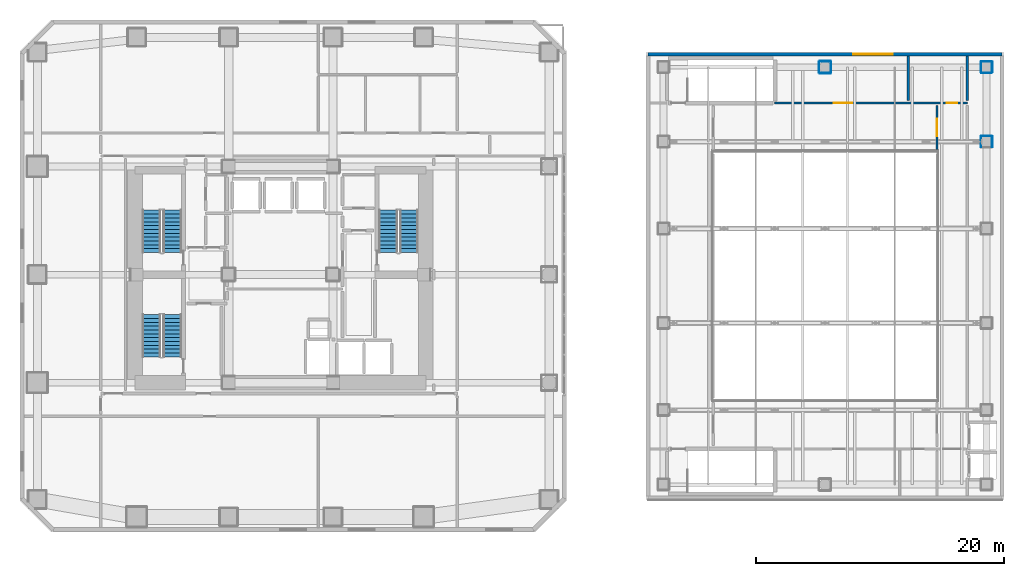
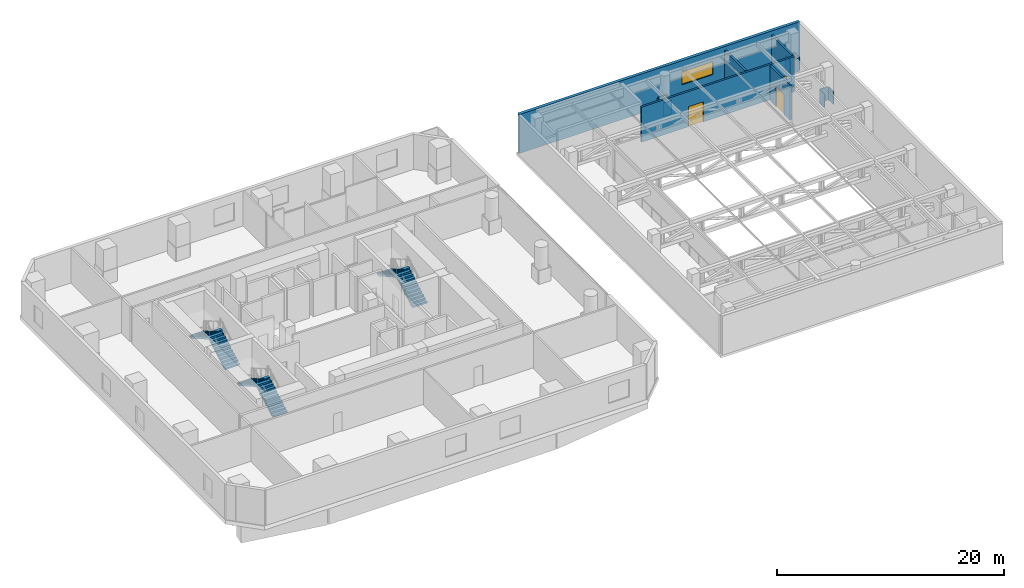
# One storey, part 23 of 25: 16 walls, 6 stair flights, 3 doors, 1 window, 4 openings, 3 elements without a shape of their own.
"""IFC4 building model written with IfcOpenShell, lengths in metres."""

import ifcopenshell
import ifcopenshell.guid

model = None  # the IFC model being written
_history = None  # IfcOwnerHistory: only IFC2X3 demands one
_inside = {}  # id of a spatial element -> (the spatial element, [elements in it])
_under = {}  # id of a project, library or spatial element -> (it, [spatial elements below it])
_declared = {}  # id of a project -> (the project, [libraries it declares])
_typed = {}  # id of a type object -> (the type object, [elements of that type])
_made_of = {}  # id of a material, layer set ... -> (it, [elements and type objects made of it])


def new_model(schema):
    """Start an empty IFC model of exactly this schema.

    Asked for "IFC4X3", IfcOpenShell would pick the latest addendum, in which some entities
    have other attributes; the version numbers below select the first issue.
    IFC2X3 requires an IfcOwnerHistory on every rooted entity: one is made here for all.
    """
    global model, _history
    if schema == "IFC4X3":
        model = ifcopenshell.file(schema_version=(4, 3, 0, 0))
    else:
        model = ifcopenshell.file(schema=schema)
    _inside.clear()
    _under.clear()
    _declared.clear()
    _typed.clear()
    _made_of.clear()
    _history = None
    if model.schema == "IFC2X3":
        org = make("IfcOrganization", Name="unknown")
        user = make(
            "IfcPersonAndOrganization",
            ThePerson=make("IfcPerson", FamilyName="unknown"),
            TheOrganization=org,
        )
        app = make(
            "IfcApplication",
            ApplicationDeveloper=org,
            Version="unknown",
            ApplicationFullName="unknown",
            ApplicationIdentifier="unknown",
        )
        _history = make(
            "IfcOwnerHistory",
            OwningUser=user,
            OwningApplication=app,
            ChangeAction="ADDED",
            CreationDate=0,
        )
    return model


def make(cls, **values):
    """One entity of the class cls with the attributes given. An attribute that is None is left unset."""
    return model.create_entity(
        cls, **{name: value for name, value in values.items() if value is not None}
    )


def rooted(cls, **values):
    """An entity with a GlobalId (a new one), such as an element, a storey or a relation."""
    return make(cls, GlobalId=ifcopenshell.guid.new(), OwnerHistory=_history, **values)


def si_unit(unit_type, name, prefix=None):
    """IfcSIUnit, for example si_unit("LENGTHUNIT", "METRE", prefix="MILLI")."""
    return make("IfcSIUnit", UnitType=unit_type, Prefix=prefix, Name=name)


def assignment(units):
    """IfcUnitAssignment: the units of a project."""
    return None if units is None else make("IfcUnitAssignment", Units=units)


def point(xyz):
    """IfcCartesianPoint."""
    return None if xyz is None else make("IfcCartesianPoint", Coordinates=xyz)


def direction(xyz):
    """IfcDirection."""
    return None if xyz is None else make("IfcDirection", DirectionRatios=xyz)


def frame(location, z_axis=None, x_axis=None):
    """IfcAxis2Placement3D, a coordinate frame: its origin and axes. An axis left out is left unset."""
    return make(
        "IfcAxis2Placement3D",
        Location=point(location),
        Axis=direction(z_axis),
        RefDirection=direction(x_axis),
    )


def frame_2d(location, x_axis=None):
    """IfcAxis2Placement2D, a coordinate frame in the plane: its origin and x axis."""
    return make(
        "IfcAxis2Placement2D", Location=point(location), RefDirection=direction(x_axis)
    )


def origin():
    """The frame at (0, 0, 0) with its axes left unset."""
    return frame((0.0, 0.0, 0.0))


def place(relative_to, where):
    """IfcLocalPlacement: puts the frame where relative to a parent placement (None: the world)."""
    return make(
        "IfcLocalPlacement", PlacementRelTo=relative_to, RelativePlacement=where
    )


def context(
    kind, dimensions, precision=None, world=None, true_north=None, identifier=None
):
    """IfcGeometricRepresentationContext, for example the 3D "Model" context."""
    return make(
        "IfcGeometricRepresentationContext",
        ContextIdentifier=identifier,
        ContextType=kind,
        CoordinateSpaceDimension=dimensions,
        Precision=precision,
        WorldCoordinateSystem=world,
        TrueNorth=true_north,
    )


def subcontext(parent, identifier, kind, view, scale=None):
    """IfcGeometricRepresentationSubContext, for example "Body" below "Model"."""
    return make(
        "IfcGeometricRepresentationSubContext",
        ContextIdentifier=identifier,
        ContextType=kind,
        ParentContext=parent,
        TargetScale=scale,
        TargetView=view,
    )


def project(units=None, contexts=None):
    """IfcProject with its units and contexts."""
    return rooted(
        "IfcProject",
        Name="project",
        RepresentationContexts=contexts,
        UnitsInContext=assignment(units),
    )


def spatial(cls, under=None, at=None, **own):
    """A site, building, storey or space (cls), placed at a placement, below another one or the project."""
    s = rooted(cls, ObjectPlacement=at, **own)
    if under is not None:
        _under.setdefault(under.id(), (under, []))[1].append(s)
    return s


def polyline(points):
    """IfcPolyline through the points."""
    return make("IfcPolyline", Points=[point(p) for p in points])


def profile(cls, at=None, kind="AREA", **sizes):
    """A parametric profile (cls). Its sizes go by their IFC names, for example OverallWidth=200.0."""
    return make(cls, ProfileType=kind, Position=at, **sizes)


def rectangle(**sizes):
    """IfcRectangleProfileDef."""
    return profile("IfcRectangleProfileDef", **sizes)


def outline(outer, holes=None, kind="AREA"):
    """IfcArbitraryClosedProfileDef: a profile drawn as a closed curve; with holes, ...WithVoids."""
    if holes is None:
        return make("IfcArbitraryClosedProfileDef", ProfileType=kind, OuterCurve=outer)
    return make(
        "IfcArbitraryProfileDefWithVoids",
        ProfileType=kind,
        OuterCurve=outer,
        InnerCurves=holes,
    )


def extrude(swept, where, along, depth):
    """IfcExtrudedAreaSolid: the profile swept, set in the frame where, extruded along a direction by depth."""
    return make(
        "IfcExtrudedAreaSolid",
        SweptArea=swept,
        Position=where,
        ExtrudedDirection=direction(along),
        Depth=depth,
    )


def shape(context_of_items, identifier, shape_type, items):
    """IfcShapeRepresentation: the items that make up one representation, for example the "Body"."""
    return make(
        "IfcShapeRepresentation",
        ContextOfItems=context_of_items,
        RepresentationIdentifier=identifier,
        RepresentationType=shape_type,
        Items=items,
    )


def material(Name=None, Category=None):
    """IfcMaterial."""
    return make("IfcMaterial", Name=Name, Category=Category)


def layer(
    of_material, thickness, ventilated=None, Name=None, Category=None, Priority=None
):
    """IfcMaterialLayer: one layer of a wall or slab, of a material (None: an air gap)."""
    return make(
        "IfcMaterialLayer",
        Material=of_material,
        LayerThickness=thickness,
        IsVentilated=ventilated,
        Name=Name,
        Category=Category,
        Priority=Priority,
    )


def layer_set(layers, Name=None):
    """IfcMaterialLayerSet."""
    return make("IfcMaterialLayerSet", MaterialLayers=layers, LayerSetName=Name)


def made_of(thing, what):
    """Note that an element or type object is made of a material, layer set ...; save() writes the relation."""
    if what is not None:
        _made_of.setdefault(what.id(), (what, []))[1].append(thing)
    return thing


def type_object(cls, material=None, **own):
    """A type object (cls), such as IfcWallType, which elements share."""
    return made_of(rooted(cls, **own), material)


def element(
    cls,
    number,
    at=None,
    inside=None,
    cuts=None,
    type_object=None,
    material=None,
    context=None,
    identifier="Body",
    shape_type=None,
    held_by="IfcProductDefinitionShape",
    body=None,
    shapes=None,
    **own,
):
    """One element of the class cls, such as IfcWall. Its Tag is "e" and its number.

    at: its placement. inside: the storey or other place that contains it. cuts: it is an
    opening in that element (IfcRelVoidsElement). A single representation is given by context,
    identifier, shape_type and body (its items); several are given by shapes. held_by: the class
    of the entity that holds the representations. save() writes the other relations.
    """
    e = rooted(cls, Tag="e%d" % number, ObjectPlacement=at, **own)
    if body is not None:
        shapes = [shape(context, identifier, shape_type, body)]
    if shapes is not None:
        e.Representation = make(held_by, Representations=shapes)
    if inside is not None:
        _inside.setdefault(inside.id(), (inside, []))[1].append(e)
    if cuts is not None:
        rooted(
            "IfcRelVoidsElement", RelatingBuildingElement=cuts, RelatedOpeningElement=e
        )
    if type_object is not None:
        _typed.setdefault(type_object.id(), (type_object, []))[1].append(e)
    return made_of(e, material)


def fill(opening, filler):
    """IfcRelFillsElement: the door or window that sits in an opening."""
    return rooted(
        "IfcRelFillsElement",
        RelatingOpeningElement=opening,
        RelatedBuildingElement=filler,
    )


def aggregate(whole, parts):
    """IfcRelAggregates: a whole, such as a stair, and the parts it consists of."""
    return rooted("IfcRelAggregates", RelatingObject=whole, RelatedObjects=parts)


def save(model, path):
    """Write the relations noted so far, then the file.

    IfcRelAggregates (storeys below a building ...), IfcRelContainedInSpatialStructure (elements
    in a storey), IfcRelDefinesByType, IfcRelAssociatesMaterial and IfcRelDeclares: one each for
    every whole, place, type object, material and project.
    """
    for whole, parts in _under.values():
        aggregate(whole, parts)
    for where, things in _inside.values():
        rooted(
            "IfcRelContainedInSpatialStructure",
            RelatedElements=things,
            RelatingStructure=where,
        )
    for kind, things in _typed.values():
        rooted("IfcRelDefinesByType", RelatedObjects=things, RelatingType=kind)
    for what, things in _made_of.values():
        rooted("IfcRelAssociatesMaterial", RelatedObjects=things, RelatingMaterial=what)
    for by, libraries in _declared.values():
        rooted("IfcRelDeclares", RelatingContext=by, RelatedDefinitions=libraries)
    model.write(path)


model = new_model("IFC4")

# Units and contexts
model_context = context("Model", 3, precision=1e-05, world=origin(), true_north=direction((0.0, 1.0)))
body_context = subcontext(model_context, "Body", "Model", "MODEL_VIEW")
ifc_project = project(units=[si_unit("LENGTHUNIT", "METRE"), si_unit("AREAUNIT", "SQUARE_METRE"), si_unit("VOLUMEUNIT", "CUBIC_METRE"), si_unit("PLANEANGLEUNIT", "RADIAN"), si_unit("MASSUNIT", "GRAM", prefix="KILO")], contexts=[model_context])

# Site, building, storey
site_placement = place(None, origin())
site = spatial("IfcSite", under=ifc_project, at=site_placement, CompositionType="ELEMENT")
building_placement = place(site_placement, origin())
building = spatial("IfcBuilding", under=site, at=building_placement, Name="Solanera Arch Residences", CompositionType="ELEMENT")
storey_placement = place(building_placement, frame((0.0, 0.0, 17.800048828125)))
storey = spatial("IfcBuildingStorey", under=building, at=storey_placement, Name="L04", CompositionType="ELEMENT", Elevation=17.800048828125)

# Walls
ifc_material_1 = material(Name="Fire-Rated Gypsum Stud Partition", Category="gypsum")
ifc_layer_1 = layer(ifc_material_1, 0.06005859375)
ifc_layer_set_1 = layer_set([ifc_layer_1], Name="Fire-Rated Gypsum Stud Partition")
wall_type_1 = type_object("IfcWallType", Name="Column Acoustic Furring Wall 60", PredefinedType="PARTITIONING", material=ifc_layer_set_1)
wall_1_placement = place(storey_placement, frame((81.375, 41.85693359375, 0.0), z_axis=(0.0, 0.0, 1.0), x_axis=(1.0, 0.0, 0.0)))
element("IfcWall", 1, at=wall_1_placement, inside=storey, type_object=wall_type_1, Name="L04 Column Furring 37N", PredefinedType="PARTITIONING", context=body_context, shape_type="SweptSolid", body=[
    extrude(rectangle(XDim=0.85009765625, YDim=0.06005859375, at=frame_2d((0.425048828125, 0.0))), origin(), (0.0, 0.0, 1.0), 1.449951171875),
])
for number, where, z_axis, x_axis, name in (
    (2, (81.343017578125, 40.97509765625, 0.0), (0.0, 0.0, 1.0), (0.0, 1.0, 0.0), "L04 Column Furring 37W"),
    (3, (82.257080078125, 40.97509765625, 0.0), (0.0, 0.0, 1.0), (0.0, 1.0, 0.0), "L04 Column Furring 37E"),
):
    element("IfcWall", number, at=place(storey_placement, frame(where, z_axis=z_axis, x_axis=x_axis)), inside=storey, type_object=wall_type_1, Name=name, PredefinedType="PARTITIONING", context=body_context, shape_type="SweptSolid", body=[
        extrude(rectangle(XDim=0.849853515625, YDim=0.06005859375, at=frame_2d((0.4248046875, 0.0))), origin(), (0.0, 0.0, 1.0), 1.449951171875),
    ])
for number, where, z_axis, x_axis, name in (
    (4, (81.375, 46.943115234375, 0.0), (0.0, 0.0, 1.0), (1.0, 0.0, 0.0), "L04 Column Furring 38S"),
    (5, (81.375, 47.85693359375, 0.0), (0.0, 0.0, 1.0), (1.0, 0.0, 0.0), "L04 Column Furring 38N"),
):
    element("IfcWall", number, at=place(storey_placement, frame(where, z_axis=z_axis, x_axis=x_axis)), inside=storey, type_object=wall_type_1, Name=name, PredefinedType="PARTITIONING", context=body_context, shape_type="SweptSolid", body=[
        extrude(rectangle(XDim=0.85009765625, YDim=0.06005859375, at=frame_2d((0.425048828125, 0.0))), origin(), (0.0, 0.0, 1.0), 1.449951171875),
    ])
for number, where, z_axis, x_axis, name in (
    (6, (81.343017578125, 46.97509765625, 0.0), (0.0, 0.0, 1.0), (0.0, 1.0, 0.0), "L04 Column Furring 38W"),
    (7, (82.257080078125, 46.97509765625, 0.0), (0.0, 0.0, 1.0), (0.0, 1.0, 0.0), "L04 Column Furring 38E"),
):
    element("IfcWall", number, at=place(storey_placement, frame(where, z_axis=z_axis, x_axis=x_axis)), inside=storey, type_object=wall_type_1, Name=name, PredefinedType="PARTITIONING", context=body_context, shape_type="SweptSolid", body=[
        extrude(rectangle(XDim=0.849853515625, YDim=0.06005859375, at=frame_2d((0.4248046875, 0.0))), origin(), (0.0, 0.0, 1.0), 1.449951171875),
    ])
for number, where, z_axis, x_axis, name in (
    (8, (68.35009765625, 46.91796875, 0.0), (0.0, 0.0, 1.0), (1.0, 0.0, 0.0), "L04 Column Furring 40S"),
    (9, (68.35009765625, 47.882080078125, 0.0), (0.0, 0.0, 1.0), (1.0, 0.0, 0.0), "L04 Column Furring 40N"),
):
    element("IfcWall", number, at=place(storey_placement, frame(where, z_axis=z_axis, x_axis=x_axis)), inside=storey, type_object=wall_type_1, Name=name, PredefinedType="PARTITIONING", context=body_context, shape_type="SweptSolid", body=[
        extrude(rectangle(XDim=0.89990234375, YDim=0.06005859375, at=frame_2d((0.449951171875, 0.0))), origin(), (0.0, 0.0, 1.0), 1.449951171875),
    ])
for number, where, z_axis, x_axis, name in (
    (10, (68.318115234375, 46.949951171875, 0.0), (0.0, 0.0, 1.0), (0.0, 1.0, 0.0), "L04 Column Furring 40W"),
    (11, (69.281982421875, 46.949951171875, 0.0), (0.0, 0.0, 1.0), (0.0, 1.0, 0.0), "L04 Column Furring 40E"),
):
    element("IfcWall", number, at=place(storey_placement, frame(where, z_axis=z_axis, x_axis=x_axis)), inside=storey, type_object=wall_type_1, Name=name, PredefinedType="PARTITIONING", context=body_context, shape_type="SweptSolid", body=[
        extrude(rectangle(XDim=0.900146484375, YDim=0.06005859375, at=frame_2d((0.4501953125, 0.0))), origin(), (0.0, 0.0, 1.0), 1.449951171875),
    ])

# Wall, opening, door
ifc_material_2 = material(Name="Autoclaved Aerated Concrete Blockwork", Category="masonry")
ifc_layer_2 = layer(ifc_material_2, 0.179931640625)
ifc_layer_set_2 = layer_set([ifc_layer_2], Name="Autoclaved Aerated Concrete Blockwork")
wall_type_2 = type_object("IfcWallType", Name="Corridor Fire Partition 180", PredefinedType="PARTITIONING", material=ifc_layer_set_2)
wall_2_placement = place(storey_placement, frame((77.800048828125, 40.7880859375, 0.0), z_axis=(0.0, 0.0, 1.0), x_axis=(0.0, 1.0, 0.0)))
wall_2 = element("IfcWall", 12, at=wall_2_placement, inside=storey, type_object=wall_type_2, Name="L04 Interior Partition V18 4", PredefinedType="PARTITIONING", context=body_context, shape_type="SweptSolid", body=[
    extrude(rectangle(XDim=3.533935546875, YDim=0.179931640625, at=frame_2d((1.76708984375, 0.0))), origin(), (0.0, 0.0, 1.0), 3.780029296875),
])
opening_1_placement = place(wall_2_placement, frame((1.048095703125, 0.0, 0.0)))
opening_1 = element("IfcOpeningElement", 13, at=opening_1_placement, cuts=wall_2, Name="Opening DF-03", PredefinedType="OPENING", context=body_context, shape_type="SweptSolid", body=[
    extrude(rectangle(XDim=1.39990234375, YDim=2.14990234375, at=frame_2d((0.699951171875, 1.074951171875))), frame((0.0, 0.10009765625, 0.0), z_axis=(0.0, -1.0, 0.0), x_axis=(1.0, 0.0, 0.0)), (0.0, 0.0, 1.0), 0.1999),
])
ifc_material_3 = material(Name="Fire-Rated Architectural Hardwood", Category="wood")
door_type_1 = type_object("IfcDoorType", Name="Corridor Smoke Door DF-03", OperationType="NOTDEFINED", PredefinedType="DOOR", material=ifc_material_3)
door_1_placement = place(opening_1_placement, origin())
door_1 = element("IfcDoor", 14, at=door_1_placement, inside=storey, type_object=door_type_1, Name="DR-L04-IN-021", OperationType="SINGLE_SWING_RIGHT", OverallHeight=2.14990234375, OverallWidth=1.39990234375, PredefinedType="DOOR", context=body_context, shape_type="SweptSolid", body=[
    extrude(rectangle(XDim=1.39990234375, YDim=2.14990234375, at=frame_2d((0.699951171875, 1.074951171875))), frame((0.0, 0.02490234375, 0.0), z_axis=(0.0, -1.0, 0.0), x_axis=(1.0, 0.0, 0.0)), (0.0, 0.0, 1.0), 0.050048828125),
])
fill(opening_1, door_1)

# Wall
wall_3_placement = place(storey_placement, frame((80.25, 44.718017578125, 0.0), z_axis=(0.0, 0.0, 1.0), x_axis=(0.0, 1.0, 0.0)))
element("IfcWall", 15, at=wall_3_placement, inside=storey, type_object=wall_type_2, Name="L04 Interior Partition V19 4", PredefinedType="PARTITIONING", context=body_context, shape_type="SweptSolid", body=[
    extrude(rectangle(XDim=3.570068359375, YDim=0.179931640625, at=frame_2d((1.78515625, 0.0))), origin(), (0.0, 0.0, 1.0), 3.780029296875),
])

# Wall, opening, window
ifc_material_4 = material(Name="Precast Concrete C35/45", Category="concrete")
ifc_layer_3 = layer(ifc_material_4, 0.300048828125)
ifc_layer_set_3 = layer_set([ifc_layer_3], Name="Precast Concrete C35/45")
wall_type_3 = type_object("IfcWallType", Name="Exterior Wall Precast Masonry-Frame 300", PredefinedType="STANDARD", material=ifc_layer_set_3)
wall_4_placement = place(storey_placement, frame((54.550048828125, 48.449951171875, 0.0), z_axis=(0.0, 0.0, 1.0), x_axis=(1.0, 0.0, 0.0)))
wall_4 = element("IfcWall", 16, at=wall_4_placement, inside=storey, type_object=wall_type_3, Name="L04 Sports Hall Exterior Precast Wall N", PredefinedType="STANDARD", context=body_context, shape_type="SweptSolid", body=[
    extrude(rectangle(XDim=28.5, YDim=0.300048828125, at=frame_2d((14.25, 0.0))), origin(), (0.0, 0.0, 1.0), 4.199951171875),
])
opening_2_placement = place(wall_4_placement, frame((16.5, 0.0, 1.60009765625)))
opening_2 = element("IfcOpeningElement", 17, at=opening_2_placement, cuts=wall_4, Name="Opening W-13", PredefinedType="OPENING", context=body_context, shape_type="SweptSolid", body=[
    extrude(rectangle(XDim=3.199951171875, YDim=1.39990234375, at=frame_2d((1.60009765625, 0.699951171875))), frame((0.0, 0.159912109375, 0.0), z_axis=(0.0, -1.0, 0.0), x_axis=(1.0, 0.0, 0.0)), (0.0, 0.0, 1.0), 0.32),
])
ifc_material_5 = material(Name="Double Glazed Low-E Laminated Glass", Category="glass")
window_type = type_object("IfcWindowType", Name="Arena Clerestory Window W-13", PartitioningType="DOUBLE_PANEL_HORIZONTAL", PredefinedType="LIGHTDOME", material=ifc_material_5)
window_placement = place(opening_2_placement, origin())
window = element("IfcWindow", 18, at=window_placement, inside=storey, type_object=window_type, Name="L04 Sports Hall North Clerestory Window 3", OverallHeight=1.39990234375, OverallWidth=3.199951171875, PartitioningType="SINGLE_PANEL", PredefinedType="LIGHTDOME", context=body_context, shape_type="SweptSolid", body=[
    extrude(rectangle(XDim=3.199951171875, YDim=1.39990234375, at=frame_2d((1.60009765625, 0.699951171875))), frame((0.0, 0.030029296875, 0.0), z_axis=(0.0, -1.0, 0.0), x_axis=(1.0, 0.0, 0.0)), (0.0, 0.0, 1.0), 0.06005859375),
])
fill(opening_2, window)

# Wall, openings, doors
ifc_material_6 = material(Name="Autoclaved Aerated Concrete Blockwork", Category="masonry")
ifc_layer_4 = layer(ifc_material_6, 0.199951171875)
ifc_layer_set_4 = layer_set([ifc_layer_4], Name="Autoclaved Aerated Concrete Blockwork")
wall_type_4 = type_object("IfcWallType", Name="Party Wall Acoustic 200", PredefinedType="PARTITIONING", material=ifc_layer_set_4)
wall_5_placement = place(storey_placement, frame((64.7099609375, 44.52001953125, 0.0), z_axis=(0.0, 0.0, 1.0), x_axis=(1.0, 0.0, 0.0)))
wall_5 = element("IfcWall", 19, at=wall_5_placement, inside=storey, type_object=wall_type_4, Name="L04 Interior Partition H7 2", PredefinedType="PARTITIONING", context=body_context, shape_type="SweptSolid", body=[
    extrude(rectangle(XDim=15.5400390625, YDim=0.199951171875, at=frame_2d((7.77001953125, 0.0))), origin(), (0.0, 0.0, 1.0), 3.780029296875),
])
opening_3_placement = place(wall_5_placement, frame((4.7900390625, 0.0, 0.0)))
opening_3 = element("IfcOpeningElement", 20, at=opening_3_placement, cuts=wall_5, Name="Opening DP-01", PredefinedType="OPENING", context=body_context, shape_type="SweptSolid", body=[
    extrude(rectangle(XDim=1.5, YDim=2.14990234375, at=frame_2d((0.75, 1.074951171875))), frame((0.0, 0.110107421875, 0.0), z_axis=(0.0, -1.0, 0.0), x_axis=(1.0, 0.0, 0.0)), (0.0, 0.0, 1.0), 0.22),
])
opening_4_placement = place(wall_5_placement, frame((13.87109375, 0.0, 0.0)))
opening_4 = element("IfcOpeningElement", 21, at=opening_4_placement, cuts=wall_5, Name="Opening DI-05", PredefinedType="OPENING", context=body_context, shape_type="SweptSolid", body=[
    extrude(rectangle(XDim=0.860107421875, YDim=2.02001953125, at=frame_2d((0.43017578125, 1.010009765625))), frame((0.0, 0.110107421875, 0.0), z_axis=(0.0, -1.0, 0.0), x_axis=(1.0, 0.0, 0.0)), (0.0, 0.0, 1.0), 0.22),
])
ifc_material_7 = material(Name="Fire-Rated Architectural Hardwood", Category="wood")
door_type_2 = type_object("IfcDoorType", Name="Bathroom Swing Door DI-05", OperationType="NOTDEFINED", PredefinedType="DOOR", material=ifc_material_7)
door_2_placement = place(opening_4_placement, origin())
door_2 = element("IfcDoor", 22, at=door_2_placement, inside=storey, type_object=door_type_2, Name="DR-L04-IN-038", OperationType="SINGLE_SWING_LEFT", OverallHeight=2.02001953125, OverallWidth=0.860107421875, PredefinedType="DOOR", context=body_context, shape_type="SweptSolid", body=[
    extrude(rectangle(XDim=0.860107421875, YDim=2.02001953125, at=frame_2d((0.43017578125, 1.010009765625))), frame((0.0, 0.02490234375, 0.0), z_axis=(0.0, -1.0, 0.0), x_axis=(1.0, 0.0, 0.0)), (0.0, 0.0, 1.0), 0.050048828125),
])
fill(opening_4, door_2)
ifc_material_8 = material(Name="Fire-Rated Architectural Hardwood", Category="wood")
door_type_3 = type_object("IfcDoorType", Name="Plant Double Fire Door DP-01", OperationType="NOTDEFINED", PredefinedType="DOOR", material=ifc_material_8)
door_3_placement = place(opening_3_placement, origin())
door_3 = element("IfcDoor", 23, at=door_3_placement, inside=storey, type_object=door_type_3, Name="DR-L04-IN-037", OperationType="SINGLE_SWING_RIGHT", OverallHeight=2.14990234375, OverallWidth=1.5, PredefinedType="DOOR", context=body_context, shape_type="SweptSolid", body=[
    extrude(rectangle(XDim=1.5, YDim=2.14990234375, at=frame_2d((0.75, 1.074951171875))), frame((0.0, 0.02490234375, 0.0), z_axis=(0.0, -1.0, 0.0), x_axis=(1.0, 0.0, 0.0)), (0.0, 0.0, 1.0), 0.050048828125),
])
fill(opening_3, door_3)

# Wall
wall_6_placement = place(storey_placement, frame((75.5, 44.72802734375, 0.0), z_axis=(0.0, 0.0, 1.0), x_axis=(0.0, 1.0, 0.0)))
element("IfcWall", 24, at=wall_6_placement, inside=storey, type_object=wall_type_4, Name="L04 Interior Partition V9", PredefinedType="PARTITIONING", context=body_context, shape_type="SweptSolid", body=[
    extrude(rectangle(XDim=3.56005859375, YDim=0.199951171875, at=frame_2d((1.780029296875, 0.0))), origin(), (0.0, 0.0, 1.0), 3.780029296875),
])

# Stair, stair flights
ifc_material_9 = material(Name="Concrete C40/50 (f'c = 45 MPa)", Category="concrete")
stair_type = type_object("IfcStairType", Name="Tower Dogleg Exit Stair 1480", PredefinedType="HALF_TURN_STAIR", material=ifc_material_9)
stair_1_placement = place(storey_placement, origin())
stair_1 = element("IfcStair", 25, at=stair_1_placement, inside=storey, type_object=stair_type, Name="L04 Tower Core Exit Stair 1", PredefinedType="HALF_TURN_STAIR")
ifc_material_10 = material(Name="Concrete C40/50 (f'c = 45 MPa)", Category="concrete")
stair_flight_type = type_object("IfcStairFlightType", Name="Tower Precast Stair Flight 1480", PredefinedType="STRAIGHT", material=ifc_material_10)
stair_flight_1_placement = place(storey_placement, frame((16.260009765625, 32.47998046875, 0.0), z_axis=(0.0, 0.0, 1.0), x_axis=(0.0, 1.0, 0.0)))
stair_flight_1 = element("IfcStairFlight", 26, at=stair_flight_1_placement, type_object=stair_flight_type, Name="ST-T1 flight 1", NumberOfRisers=12, NumberOfTreads=11, PredefinedType="STRAIGHT", RiserHeight=0.175, TreadLength=0.31, context=body_context, shape_type="SweptSolid", body=[
    extrude(outline(polyline([(0.0, 0.0), (0.0, 0.175048828125), (0.31005859375, 0.175048828125), (0.31005859375, 0.35009765625), (0.6201171875, 0.35009765625), (0.6201171875, 0.52490234375), (0.929931640625, 0.52490234375), (0.929931640625, 0.699951171875), (1.239990234375, 0.699951171875), (1.239990234375, 0.875), (1.550048828125, 0.875), (1.550048828125, 1.050048828125), (1.860107421875, 1.050048828125), (1.860107421875, 1.22509765625), (2.169921875, 1.22509765625), (2.169921875, 1.39990234375), (2.47998046875, 1.39990234375), (2.47998046875, 1.574951171875), (2.7900390625, 1.574951171875), (2.7900390625, 1.75), (3.10009765625, 1.75), (3.10009765625, 1.925048828125), (3.409912109375, 1.925048828125), (3.409912109375, 2.10009765625), (3.409912109375, 1.7529296875), (0.304931640625, 0.0), (0.0, 0.0)])), frame((0.0, 0.739990234375, 0.0), z_axis=(0.0, -1.0, 0.0), x_axis=(1.0, 0.0, 0.0)), (0.0, 0.0, 1.0), 1.47998046875),
])
stair_flight_2_placement = place(storey_placement, frame((14.580078125, 35.889892578125, 2.099853515625), z_axis=(0.0, 0.0, 1.0), x_axis=(0.0, -1.0, 0.0)))
stair_flight_2 = element("IfcStairFlight", 27, at=stair_flight_2_placement, type_object=stair_flight_type, Name="ST-T1 flight 2", NumberOfRisers=12, NumberOfTreads=11, PredefinedType="STRAIGHT", RiserHeight=0.175, TreadLength=0.31, context=body_context, shape_type="SweptSolid", body=[
    extrude(outline(polyline([(0.0, 0.0), (0.0, 0.175048828125), (0.31005859375, 0.175048828125), (0.31005859375, 0.35009765625), (0.6201171875, 0.35009765625), (0.6201171875, 0.52490234375), (0.929931640625, 0.52490234375), (0.929931640625, 0.699951171875), (1.239990234375, 0.699951171875), (1.239990234375, 0.875), (1.550048828125, 0.875), (1.550048828125, 1.050048828125), (1.860107421875, 1.050048828125), (1.860107421875, 1.22509765625), (2.169921875, 1.22509765625), (2.169921875, 1.39990234375), (2.47998046875, 1.39990234375), (2.47998046875, 1.574951171875), (2.7900390625, 1.574951171875), (2.7900390625, 1.75), (3.10009765625, 1.75), (3.10009765625, 1.925048828125), (3.409912109375, 1.925048828125), (3.409912109375, 2.10009765625), (3.409912109375, 1.7529296875), (0.304931640625, 0.0), (0.0, 0.0)])), frame((0.0, 0.739990234375, 0.0), z_axis=(0.0, -1.0, 0.0), x_axis=(1.0, 0.0, 0.0)), (0.0, 0.0, 1.0), 1.47998046875),
])
aggregate(stair_1, [stair_flight_1, stair_flight_2])

stair_2_placement = place(storey_placement, origin())
stair_2 = element("IfcStair", 28, at=stair_2_placement, inside=storey, type_object=stair_type, Name="L04 Tower Core Exit Stair 2", PredefinedType="HALF_TURN_STAIR")
stair_flight_3_placement = place(storey_placement, frame((35.320068359375, 32.47998046875, 0.0), z_axis=(0.0, 0.0, 1.0), x_axis=(0.0, 1.0, 0.0)))
stair_flight_3 = element("IfcStairFlight", 29, at=stair_flight_3_placement, type_object=stair_flight_type, Name="ST-T2 flight 1", NumberOfRisers=12, NumberOfTreads=11, PredefinedType="STRAIGHT", RiserHeight=0.175, TreadLength=0.31, context=body_context, shape_type="SweptSolid", body=[
    extrude(outline(polyline([(0.0, 0.0), (0.0, 0.175048828125), (0.31005859375, 0.175048828125), (0.31005859375, 0.35009765625), (0.6201171875, 0.35009765625), (0.6201171875, 0.52490234375), (0.929931640625, 0.52490234375), (0.929931640625, 0.699951171875), (1.239990234375, 0.699951171875), (1.239990234375, 0.875), (1.550048828125, 0.875), (1.550048828125, 1.050048828125), (1.860107421875, 1.050048828125), (1.860107421875, 1.22509765625), (2.169921875, 1.22509765625), (2.169921875, 1.39990234375), (2.47998046875, 1.39990234375), (2.47998046875, 1.574951171875), (2.7900390625, 1.574951171875), (2.7900390625, 1.75), (3.10009765625, 1.75), (3.10009765625, 1.925048828125), (3.409912109375, 1.925048828125), (3.409912109375, 2.10009765625), (3.409912109375, 1.7529296875), (0.304931640625, 0.0), (0.0, 0.0)])), frame((0.0, 0.739990234375, 0.0), z_axis=(0.0, -1.0, 0.0), x_axis=(1.0, 0.0, 0.0)), (0.0, 0.0, 1.0), 1.47998046875),
])
stair_flight_4_placement = place(storey_placement, frame((33.639892578125, 35.889892578125, 2.099853515625), z_axis=(0.0, 0.0, 1.0), x_axis=(0.0, -1.0, 0.0)))
stair_flight_4 = element("IfcStairFlight", 30, at=stair_flight_4_placement, type_object=stair_flight_type, Name="ST-T2 flight 2", NumberOfRisers=12, NumberOfTreads=11, PredefinedType="STRAIGHT", RiserHeight=0.175, TreadLength=0.31, context=body_context, shape_type="SweptSolid", body=[
    extrude(outline(polyline([(0.0, 0.0), (0.0, 0.175048828125), (0.31005859375, 0.175048828125), (0.31005859375, 0.35009765625), (0.6201171875, 0.35009765625), (0.6201171875, 0.52490234375), (0.929931640625, 0.52490234375), (0.929931640625, 0.699951171875), (1.239990234375, 0.699951171875), (1.239990234375, 0.875), (1.550048828125, 0.875), (1.550048828125, 1.050048828125), (1.860107421875, 1.050048828125), (1.860107421875, 1.22509765625), (2.169921875, 1.22509765625), (2.169921875, 1.39990234375), (2.47998046875, 1.39990234375), (2.47998046875, 1.574951171875), (2.7900390625, 1.574951171875), (2.7900390625, 1.75), (3.10009765625, 1.75), (3.10009765625, 1.925048828125), (3.409912109375, 1.925048828125), (3.409912109375, 2.10009765625), (3.409912109375, 1.7529296875), (0.304931640625, 0.0), (0.0, 0.0)])), frame((0.0, 0.739990234375, 0.0), z_axis=(0.0, -1.0, 0.0), x_axis=(1.0, 0.0, 0.0)), (0.0, 0.0, 1.0), 1.47998046875),
])
aggregate(stair_2, [stair_flight_3, stair_flight_4])

stair_3_placement = place(storey_placement, origin())
stair_3 = element("IfcStair", 31, at=stair_3_placement, inside=storey, type_object=stair_type, Name="L04 Tower Core Exit Stair 3", PredefinedType="HALF_TURN_STAIR")
stair_flight_5_placement = place(storey_placement, frame((16.260009765625, 24.080078125, 0.0), z_axis=(0.0, 0.0, 1.0), x_axis=(0.0, 1.0, 0.0)))
stair_flight_5 = element("IfcStairFlight", 32, at=stair_flight_5_placement, type_object=stair_flight_type, Name="ST-T3 flight 1", NumberOfRisers=12, NumberOfTreads=11, PredefinedType="STRAIGHT", RiserHeight=0.175, TreadLength=0.31, context=body_context, shape_type="SweptSolid", body=[
    extrude(outline(polyline([(0.0, 0.0), (0.0, 0.175048828125), (0.31005859375, 0.175048828125), (0.31005859375, 0.35009765625), (0.6201171875, 0.35009765625), (0.6201171875, 0.52490234375), (0.929931640625, 0.52490234375), (0.929931640625, 0.699951171875), (1.239990234375, 0.699951171875), (1.239990234375, 0.875), (1.550048828125, 0.875), (1.550048828125, 1.050048828125), (1.860107421875, 1.050048828125), (1.860107421875, 1.22509765625), (2.169921875, 1.22509765625), (2.169921875, 1.39990234375), (2.47998046875, 1.39990234375), (2.47998046875, 1.574951171875), (2.7900390625, 1.574951171875), (2.7900390625, 1.75), (3.10009765625, 1.75), (3.10009765625, 1.925048828125), (3.409912109375, 1.925048828125), (3.409912109375, 2.10009765625), (3.409912109375, 1.7529296875), (0.304931640625, 0.0), (0.0, 0.0)])), frame((0.0, 0.739990234375, 0.0), z_axis=(0.0, -1.0, 0.0), x_axis=(1.0, 0.0, 0.0)), (0.0, 0.0, 1.0), 1.47998046875),
])
stair_flight_6_placement = place(storey_placement, frame((14.580078125, 27.489990234375, 2.099853515625), z_axis=(0.0, 0.0, 1.0), x_axis=(0.0, -1.0, 0.0)))
stair_flight_6 = element("IfcStairFlight", 33, at=stair_flight_6_placement, type_object=stair_flight_type, Name="ST-T3 flight 2", NumberOfRisers=12, NumberOfTreads=11, PredefinedType="STRAIGHT", RiserHeight=0.175, TreadLength=0.31, context=body_context, shape_type="SweptSolid", body=[
    extrude(outline(polyline([(0.0, 0.0), (0.0, 0.175048828125), (0.31005859375, 0.175048828125), (0.31005859375, 0.35009765625), (0.6201171875, 0.35009765625), (0.6201171875, 0.52490234375), (0.929931640625, 0.52490234375), (0.929931640625, 0.699951171875), (1.239990234375, 0.699951171875), (1.239990234375, 0.875), (1.550048828125, 0.875), (1.550048828125, 1.050048828125), (1.860107421875, 1.050048828125), (1.860107421875, 1.22509765625), (2.169921875, 1.22509765625), (2.169921875, 1.39990234375), (2.47998046875, 1.39990234375), (2.47998046875, 1.574951171875), (2.7900390625, 1.574951171875), (2.7900390625, 1.75), (3.10009765625, 1.75), (3.10009765625, 1.925048828125), (3.409912109375, 1.925048828125), (3.409912109375, 2.10009765625), (3.409912109375, 1.7529296875), (0.304931640625, 0.0), (0.0, 0.0)])), frame((0.0, 0.739990234375, 0.0), z_axis=(0.0, -1.0, 0.0), x_axis=(1.0, 0.0, 0.0)), (0.0, 0.0, 1.0), 1.47998046875),
])
aggregate(stair_3, [stair_flight_5, stair_flight_6])

save(model, "model.ifc")
